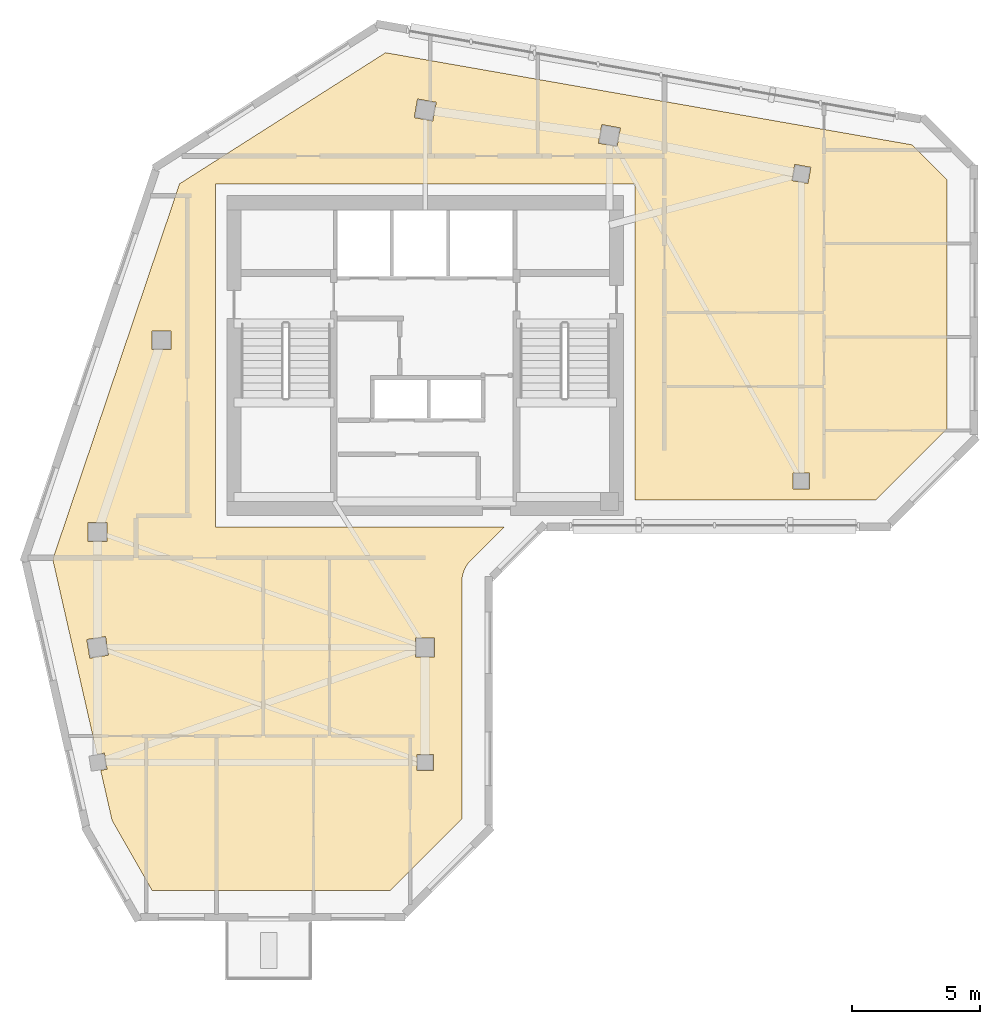
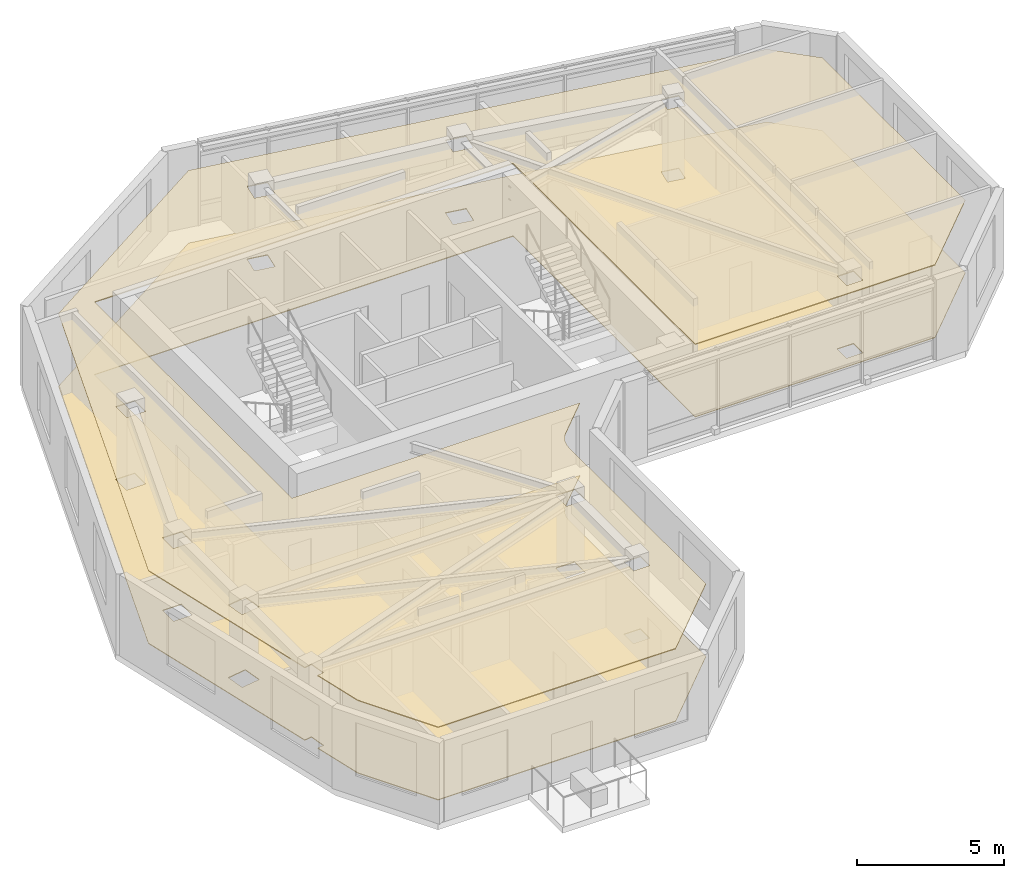
# One storey, part 7 of 8: 2 coverings.
"""IFC4 building model written with IfcOpenShell, lengths in metres."""

from ifc_helpers import new_model, si_unit, direction, frame, origin, place, context, subcontext, project, spatial, polyline, outline, extrude, material, layer, layer_set, type_object, element, save


model = new_model("IFC4")

# Units and contexts
model_context = context("Model", 3, precision=1e-05, world=origin(), true_north=direction((0.0, 1.0)))
body_context = subcontext(model_context, "Body", "Model", "MODEL_VIEW")
ifc_project = project(units=[si_unit("LENGTHUNIT", "METRE"), si_unit("AREAUNIT", "SQUARE_METRE"), si_unit("VOLUMEUNIT", "CUBIC_METRE"), si_unit("PLANEANGLEUNIT", "RADIAN"), si_unit("MASSUNIT", "GRAM", prefix="KILO")], contexts=[model_context])

# Site, building, storey
site_placement = place(None, origin())
site = spatial("IfcSite", under=ifc_project, at=site_placement, CompositionType="ELEMENT")
building_placement = place(site_placement, origin())
building = spatial("IfcBuilding", under=site, at=building_placement, Name="Calvemar Wedge Station Tower", CompositionType="ELEMENT")
storey_placement = place(building_placement, frame((0.0, 0.0, 249.300048828125)))
storey = spatial("IfcBuildingStorey", under=building, at=storey_placement, Name="L63", CompositionType="ELEMENT", Elevation=249.300048828125)

# Coverings
ifc_material_1 = material(Name="Acoustic mineral fibre ceiling board")
ifc_layer_1 = layer(ifc_material_1, 0.0400390625)
ifc_layer_set_1 = layer_set([ifc_layer_1], Name="Acoustic mineral fibre ceiling board")
covering_type_1 = type_object("IfcCoveringType", Name="COV-CEIL-ACOUSTIC", PredefinedType="CEILING", material=ifc_layer_set_1)
covering_1_placement = place(storey_placement, frame((0.0, 0.0, 3.0)))
element("IfcCovering", 1, at=covering_1_placement, inside=storey, type_object=covering_type_1, Name="Storey L63 Acoustic Suspended Ceiling", PredefinedType="CEILING", context=body_context, shape_type="SweptSolid", body=[
    extrude(outline(polyline([(15.60009765625, 33.199951171875), (15.60009765625, 46.60009765625), (32.0, 46.60009765625), (32.0, 34.256103515625), (41.40283203125, 34.256103515625), (44.199951171875, 37.052978515625), (44.199951171875, 46.7587890625), (42.819580078125, 48.139404296875), (22.251708984375, 51.73779296875), (14.201416015625, 46.614990234375), (9.2451171875, 31.936279296875), (10.97607421875, 24.3203125), (11.265380859375, 24.36669921875), (11.36669921875, 23.734619140625), (11.118408203125, 23.69482421875), (11.5625, 21.740234375), (13.12841796875, 19.0), (22.434814453125, 19.0), (25.23193359375, 21.797119140625), (25.23193359375, 31.055908203125), (25.23779296875, 31.173583984375), (25.255126953125, 31.2900390625), (25.28369140625, 31.404296875), (25.3232421875, 31.51513671875), (25.373779296875, 31.62158203125), (25.43408203125, 31.72265625), (25.50439453125, 31.8173828125), (25.58349609375, 31.904541015625), (26.87890625, 33.199951171875), (15.60009765625, 33.199951171875)]), holes=[polyline([(11.3701171875, 33.3701171875), (11.3701171875, 32.6298828125), (10.6298828125, 32.6298828125), (10.6298828125, 33.3701171875), (11.3701171875, 33.3701171875)]), polyline([(13.8701171875, 40.1298828125), (13.1298828125, 40.1298828125), (13.1298828125, 40.8701171875), (13.8701171875, 40.8701171875), (13.8701171875, 40.1298828125)]), polyline([(23.370361328125, 49.201416015625), (23.50146484375, 49.9296875), (24.229736328125, 49.798583984375), (24.0986328125, 49.0703125), (23.370361328125, 49.201416015625)]), polyline([(30.701416015625, 48.9296875), (31.4296875, 48.798583984375), (31.298583984375, 48.0703125), (30.5703125, 48.201416015625), (30.701416015625, 48.9296875)]), polyline([(38.87158203125, 47.25830078125), (38.75830078125, 46.62841796875), (38.12841796875, 46.74169921875), (38.24169921875, 47.37158203125), (38.87158203125, 47.25830078125)]), polyline([(38.820068359375, 34.679931640625), (38.179931640625, 34.679931640625), (38.179931640625, 35.320068359375), (38.820068359375, 35.320068359375), (38.820068359375, 34.679931640625)]), polyline([(10.576171875, 28.806884765625), (11.306884765625, 28.923828125), (11.423828125, 28.193115234375), (10.693115234375, 28.076171875), (10.576171875, 28.806884765625)]), polyline([(24.169921875, 28.8701171875), (24.169921875, 28.1298828125), (23.429931640625, 28.1298828125), (23.429931640625, 28.8701171875), (24.169921875, 28.8701171875)]), polyline([(24.1201171875, 23.679931640625), (23.47998046875, 23.679931640625), (23.47998046875, 24.320068359375), (24.1201171875, 24.320068359375), (24.1201171875, 23.679931640625)])]), origin(), (0.0, 0.0, 1.0), 0.0400390625),
])
ifc_material_2 = material(Name="Honed coastal granite stone tile", Category="masonry")
ifc_layer_2 = layer(ifc_material_2, 0.030029296875)
ifc_layer_set_2 = layer_set([ifc_layer_2], Name="Honed coastal granite stone tile")
covering_type_2 = type_object("IfcCoveringType", Name="COV-FLR-STONE", PredefinedType="FLOORING", material=ifc_layer_set_2)
covering_2_placement = place(storey_placement, origin())
element("IfcCovering", 2, at=covering_2_placement, inside=storey, type_object=covering_type_2, Name="Storey L63 Architectural Floor Finish", PredefinedType="FLOORING", context=body_context, shape_type="SweptSolid", body=[
    extrude(outline(polyline([(15.60009765625, 33.199951171875), (15.60009765625, 46.60009765625), (32.0, 46.60009765625), (32.0, 34.256103515625), (41.40283203125, 34.256103515625), (44.199951171875, 37.052978515625), (44.199951171875, 46.7587890625), (42.819580078125, 48.139404296875), (22.251708984375, 51.73779296875), (14.201416015625, 46.614990234375), (9.2451171875, 31.936279296875), (10.97607421875, 24.3203125), (11.265380859375, 24.36669921875), (11.36669921875, 23.734619140625), (11.118408203125, 23.69482421875), (11.5625, 21.740234375), (13.12841796875, 19.0), (22.434814453125, 19.0), (25.23193359375, 21.797119140625), (25.23193359375, 31.055908203125), (25.23779296875, 31.173583984375), (25.255126953125, 31.2900390625), (25.28369140625, 31.404296875), (25.3232421875, 31.51513671875), (25.373779296875, 31.62158203125), (25.43408203125, 31.72265625), (25.50439453125, 31.8173828125), (25.58349609375, 31.904541015625), (26.87890625, 33.199951171875), (15.60009765625, 33.199951171875)]), holes=[polyline([(11.3701171875, 33.3701171875), (11.3701171875, 32.6298828125), (10.6298828125, 32.6298828125), (10.6298828125, 33.3701171875), (11.3701171875, 33.3701171875)]), polyline([(13.8701171875, 40.1298828125), (13.1298828125, 40.1298828125), (13.1298828125, 40.8701171875), (13.8701171875, 40.8701171875), (13.8701171875, 40.1298828125)]), polyline([(23.370361328125, 49.201416015625), (23.50146484375, 49.9296875), (24.229736328125, 49.798583984375), (24.0986328125, 49.0703125), (23.370361328125, 49.201416015625)]), polyline([(30.701416015625, 48.9296875), (31.4296875, 48.798583984375), (31.298583984375, 48.0703125), (30.5703125, 48.201416015625), (30.701416015625, 48.9296875)]), polyline([(38.87158203125, 47.25830078125), (38.75830078125, 46.62841796875), (38.12841796875, 46.74169921875), (38.24169921875, 47.37158203125), (38.87158203125, 47.25830078125)]), polyline([(38.820068359375, 34.679931640625), (38.179931640625, 34.679931640625), (38.179931640625, 35.320068359375), (38.820068359375, 35.320068359375), (38.820068359375, 34.679931640625)]), polyline([(10.576171875, 28.806884765625), (11.306884765625, 28.923828125), (11.423828125, 28.193115234375), (10.693115234375, 28.076171875), (10.576171875, 28.806884765625)]), polyline([(24.169921875, 28.8701171875), (24.169921875, 28.1298828125), (23.429931640625, 28.1298828125), (23.429931640625, 28.8701171875), (24.169921875, 28.8701171875)]), polyline([(24.1201171875, 23.679931640625), (23.47998046875, 23.679931640625), (23.47998046875, 24.320068359375), (24.1201171875, 24.320068359375), (24.1201171875, 23.679931640625)])]), origin(), (0.0, 0.0, 1.0), 0.030029296875),
])

save(model, "model.ifc")
